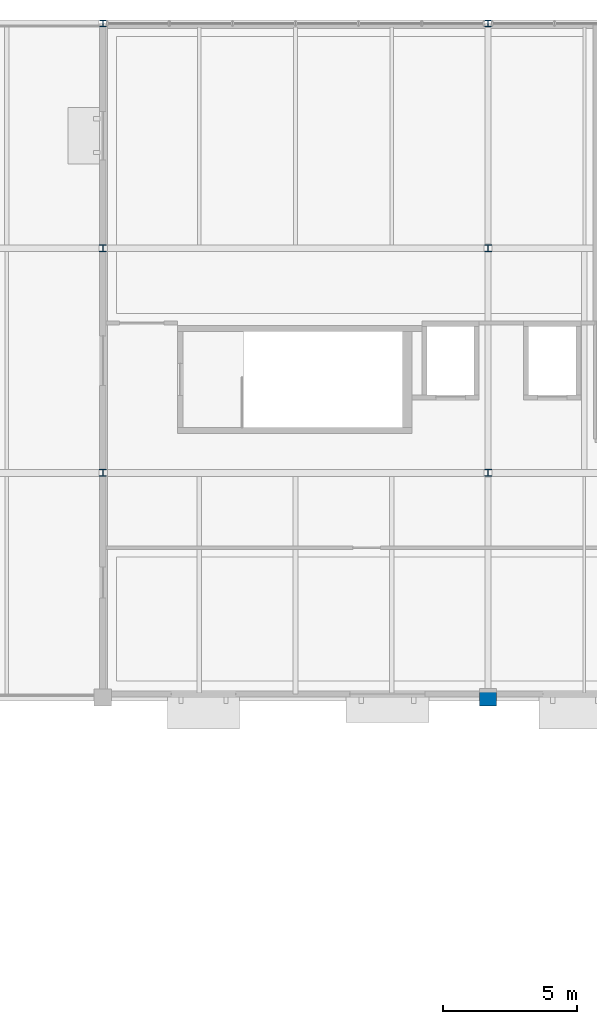
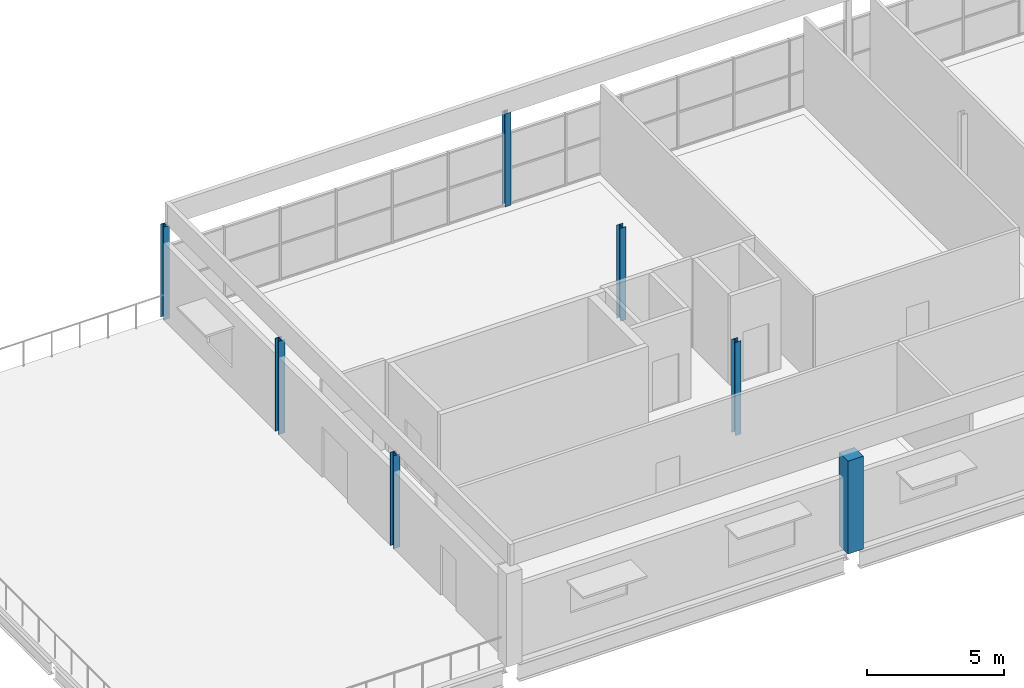
# One storey, part 4 of 43: 7 columns.
"""IFC4 building model written with IfcOpenShell, lengths in metres."""

from ifc_helpers import new_model, si_unit, direction, frame, origin, origin_2d, place, context, subcontext, project, spatial, rectangle, i_section, extrude, material, material_profile, profile_set, type_object, element, save


model = new_model("IFC4")

# Units and contexts
model_context = context("Model", 3, precision=1e-05, world=origin(), true_north=direction((0.0, 1.0)))
body_context = subcontext(model_context, "Body", "Model", "MODEL_VIEW")
ifc_project = project(units=[si_unit("LENGTHUNIT", "METRE"), si_unit("AREAUNIT", "SQUARE_METRE"), si_unit("VOLUMEUNIT", "CUBIC_METRE"), si_unit("PLANEANGLEUNIT", "RADIAN"), si_unit("MASSUNIT", "GRAM", prefix="KILO"), si_unit("THERMODYNAMICTEMPERATUREUNIT", "KELVIN")], contexts=[model_context])

# Site, building, storey
site_placement = place(None, origin())
site = spatial("IfcSite", under=ifc_project, at=site_placement, CompositionType="ELEMENT")
building_placement = place(site_placement, origin())
building = spatial("IfcBuilding", under=site, at=building_placement, Name="Nduvali Passage Aquatics Centre", CompositionType="ELEMENT")
storey_placement = place(building_placement, frame((0.0, 0.0, 17.39990234375)))
storey = spatial("IfcBuildingStorey", under=building, at=storey_placement, Name="L04", CompositionType="ELEMENT", Elevation=17.39990234375)

# Columns
ifc_material_1 = material(Name="Steel S355", Category="steel")
ifc_material_profile_1 = material_profile(ifc_material_1, i_section(OverallWidth=0.239990234375, OverallDepth=0.22998046875, WebThickness=0.007568359375, FlangeThickness=0.011962890625, FilletRadius=0.02099609375, at=origin_2d()), Name="HEA 240")
ifc_profile_set_1 = profile_set([ifc_material_profile_1], Name="Steel S355")
column_type_1 = type_object("IfcColumnType", Name="STR-COL-HEA240-EXT", PredefinedType="COLUMN", material=ifc_profile_set_1)
for number, where, z_axis, x_axis, name in (
    (1, (68.39990234375, 117.60009765625, 0.0), (0.0, 0.0, 1.0), (1.0, 0.0, 0.0), "L04 Column C10AE (68.4, 117.6)"),
    (2, (82.800048828125, 117.60009765625, 0.0), (0.0, 0.0, 1.0), (1.0, 0.0, 0.0), "L04 Column C10AE (82.8, 117.6)"),
):
    element("IfcColumn", number, at=place(storey_placement, frame(where, z_axis=z_axis, x_axis=x_axis)), inside=storey, type_object=column_type_1, Name=name, PredefinedType="COLUMN", context=body_context, shape_type="SweptSolid", body=[
        extrude(i_section(OverallWidth=0.239990234375, OverallDepth=0.22998046875, WebThickness=0.007568359375, FlangeThickness=0.011962890625, FilletRadius=0.02099609375, at=origin_2d()), origin(), (0.0, 0.0, 1.0), 4.150146484375),
    ])
ifc_material_profile_2 = material_profile(ifc_material_1, i_section(OverallWidth=0.260009765625, OverallDepth=0.260009765625, WebThickness=0.010009765625, FlangeThickness=0.017578125, FilletRadius=0.02392578125, at=origin_2d()), Name="HEB 260")
ifc_profile_set_2 = profile_set([ifc_material_profile_2], Name="Steel S355")
column_type_2 = type_object("IfcColumnType", Name="STR-COL-HEB260", PredefinedType="COLUMN", material=ifc_profile_set_2)
for number, where, z_axis, x_axis, name in (
    (3, (82.800048828125, 100.800048828125, 0.0), (0.0, 0.0, 1.0), (1.0, 0.0, 0.0), "L04 Column C10 (82.8, 100.8)"),
    (4, (82.800048828125, 109.199951171875, 0.0), (0.0, 0.0, 1.0), (1.0, 0.0, 0.0), "L04 Column C10 (82.8, 109.2)"),
):
    element("IfcColumn", number, at=place(storey_placement, frame(where, z_axis=z_axis, x_axis=x_axis)), inside=storey, type_object=column_type_2, Name=name, PredefinedType="COLUMN", context=body_context, shape_type="SweptSolid", body=[
        extrude(i_section(OverallWidth=0.260009765625, OverallDepth=0.260009765625, WebThickness=0.010009765625, FlangeThickness=0.017578125, FilletRadius=0.02392578125, at=origin_2d()), origin(), (0.0, 0.0, 1.0), 4.150146484375),
    ])
ifc_material_profile_3 = material_profile(ifc_material_1, i_section(OverallWidth=0.260009765625, OverallDepth=0.260009765625, WebThickness=0.010009765625, FlangeThickness=0.017578125, FilletRadius=0.02392578125, at=origin_2d()), Name="HEB 260")
ifc_profile_set_3 = profile_set([ifc_material_profile_3], Name="Steel S355")
column_type_3 = type_object("IfcColumnType", Name="STR-COL-HEB260-EXT", PredefinedType="COLUMN", material=ifc_profile_set_3)
for number, where, z_axis, x_axis, name in (
    (5, (68.39990234375, 100.800048828125, 0.0), (0.0, 0.0, 1.0), (1.0, 0.0, 0.0), "L04 Column C10E (68.4, 100.8)"),
    (6, (68.39990234375, 109.199951171875, 0.0), (0.0, 0.0, 1.0), (1.0, 0.0, 0.0), "L04 Column C10E (68.4, 109.2)"),
):
    element("IfcColumn", number, at=place(storey_placement, frame(where, z_axis=z_axis, x_axis=x_axis)), inside=storey, type_object=column_type_3, Name=name, PredefinedType="COLUMN", context=body_context, shape_type="SweptSolid", body=[
        extrude(i_section(OverallWidth=0.260009765625, OverallDepth=0.260009765625, WebThickness=0.010009765625, FlangeThickness=0.017578125, FilletRadius=0.02392578125, at=origin_2d()), origin(), (0.0, 0.0, 1.0), 4.150146484375),
    ])
ifc_material_2 = material(Name="Concrete C40/50", Category="concrete")
ifc_material_profile_4 = material_profile(ifc_material_2, rectangle(XDim=0.64990234375, YDim=0.64990234375, at=origin_2d()), Name="RC 650x650")
ifc_profile_set_4 = profile_set([ifc_material_profile_4], Name="Concrete C40/50")
column_type_4 = type_object("IfcColumnType", Name="STR-COL-RC650-EXT", PredefinedType="COLUMN", material=ifc_profile_set_4)
column_placement = place(storey_placement, frame((82.800048828125, 92.39990234375, 0.0), z_axis=(0.0, 0.0, 1.0), x_axis=(1.0, 0.0, 0.0)))
element("IfcColumn", 7, at=column_placement, inside=storey, type_object=column_type_4, Name="L04 Column C3E (82.8, 92.4)", PredefinedType="COLUMN", context=body_context, shape_type="SweptSolid", body=[
    extrude(rectangle(XDim=0.64990234375, YDim=0.64990234375, at=origin_2d()), origin(), (0.0, 0.0, 1.0), 4.150146484375),
])

save(model, "model.ifc")
